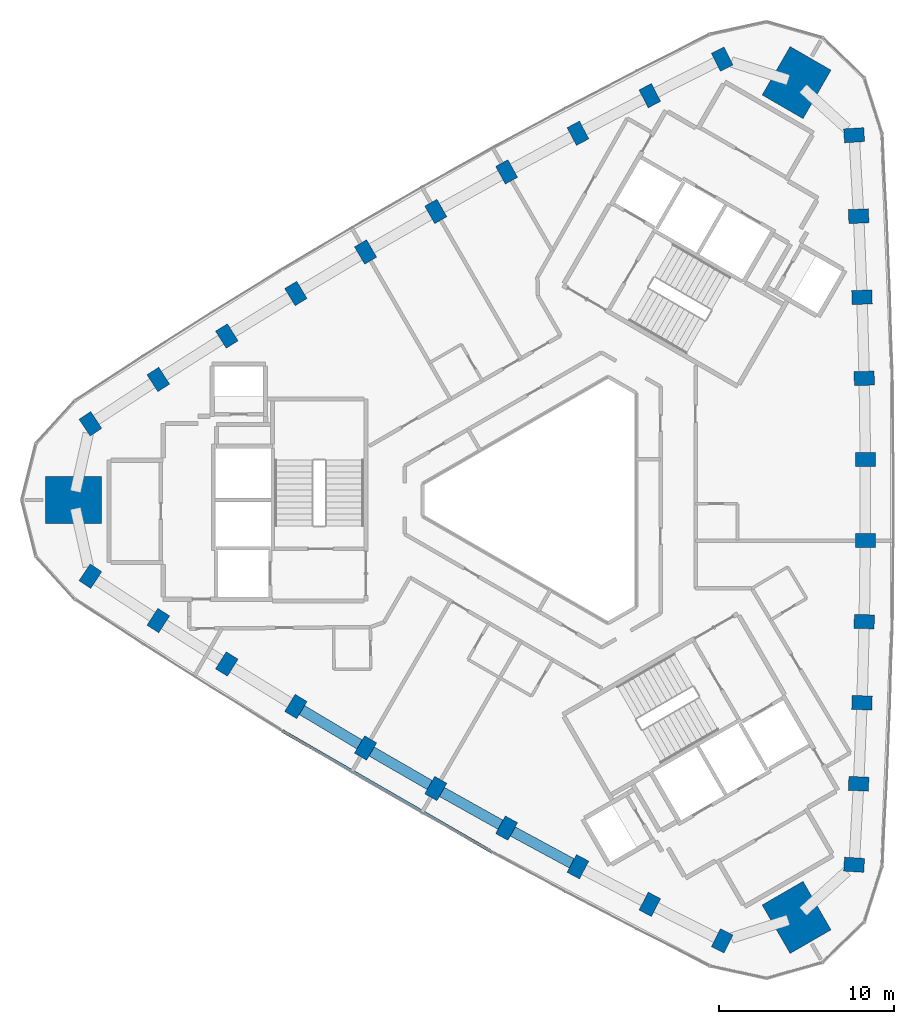
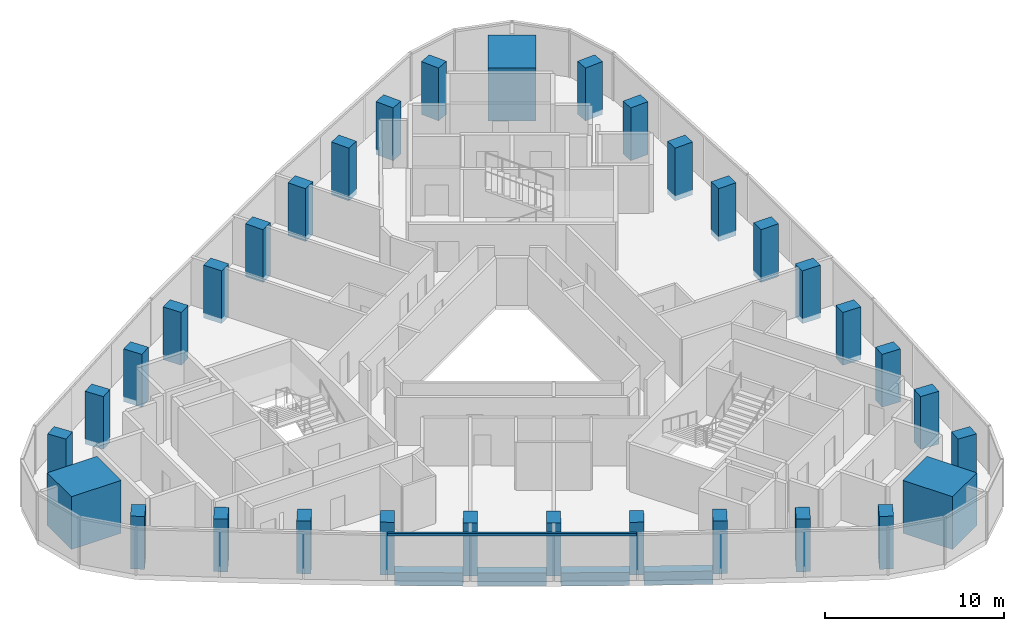
# One storey, part 1 of 12: 33 columns, 4 beams, 1 member, 1 element without a shape of its own.
"""IFC4 building model written with IfcOpenShell, lengths in metres."""

from ifc_helpers import new_model, si_unit, direction, frame, origin, origin_2d, place, context, subcontext, project, spatial, rectangle, extrude, material, material_profile, profile_set, type_object, element, aggregate, save


model = new_model("IFC4")

# Units and contexts
model_context = context("Model", 3, precision=1e-05, world=origin(), true_north=direction((0.0, 1.0)))
body_context = subcontext(model_context, "Body", "Model", "MODEL_VIEW")
ifc_project = project(units=[si_unit("LENGTHUNIT", "METRE"), si_unit("AREAUNIT", "SQUARE_METRE"), si_unit("VOLUMEUNIT", "CUBIC_METRE"), si_unit("PLANEANGLEUNIT", "RADIAN"), si_unit("MASSUNIT", "GRAM", prefix="KILO")], contexts=[model_context])

# Site, building, storey
site_placement = place(None, origin())
site = spatial("IfcSite", under=ifc_project, at=site_placement, CompositionType="ELEMENT")
building_placement = place(site_placement, origin())
building = spatial("IfcBuilding", under=site, at=building_placement, Name="Tamra Quay Hotel Tower", CompositionType="ELEMENT")
storey_placement = place(building_placement, frame((0.0, 0.0, 179.199951171875)))
storey = spatial("IfcBuildingStorey", under=building, at=storey_placement, Name="L44", CompositionType="ELEMENT", Elevation=179.199951171875)

# Columns
ifc_material_1 = material(Name="Concrete M70", Category="concrete")
ifc_material_profile_1 = material_profile(ifc_material_1, rectangle(XDim=1.14990234375, YDim=0.800048828125, at=origin_2d()), Name="COLUMN RC 800x1150 Z4")
ifc_profile_set_1 = profile_set([ifc_material_profile_1], Name="Concrete M70")
column_type_1 = type_object("IfcColumnType", Name="COLUMN RC 800x1150 Z4", PredefinedType="COLUMN", material=ifc_profile_set_1)
for number, where, z_axis, x_axis, name in (
    (1, (17.069580078125, -20.856201171875, -0.349853515625), (0.0, 0.0, 1.0), (-0.998081035395, 0.061921295089, 0.0), "COL-C4E01-L44"),
    (2, (17.326416015625, -16.2255859375, -0.349853515625), (0.0, 0.0, 1.0), (-0.998830734492, 0.048344222345, 0.0), "COL-C4E02-L44"),
    (3, (17.519287109375, -11.592041015625, -0.349853515625), (0.0, 0.0, 1.0), (-0.999411600314, 0.034299462929, 0.0), "COL-C4E03-L44"),
    (4, (17.648193359375, -6.955810546875, -0.349853515625), (0.0, 0.0, 1.0), (-0.99977704996, 0.021115169271, 0.0), "COL-C4E04-L44"),
    (5, (17.71240234375, -2.318603515625, -0.349853515625), (0.0, 0.0, 1.0), (-0.999975214668, 0.007040600034, 0.0), "COL-C4E05-L44"),
    (6, (17.71240234375, 2.318603515625, -0.349853515625), (0.0, 0.0, 1.0), (0.999975214668, 0.007040600034, 0.0), "COL-C4E06-L44"),
    (7, (17.648193359375, 6.955810546875, -0.349853515625), (0.0, 0.0, 1.0), (0.99977704996, 0.021115169271, 0.0), "COL-C4E07-L44"),
    (8, (17.519287109375, 11.592041015625, -0.349853515625), (0.0, 0.0, 1.0), (0.999411600314, 0.034299462929, 0.0), "COL-C4E08-L44"),
    (9, (17.326416015625, 16.2255859375, -0.349853515625), (0.0, 0.0, 1.0), (0.998830734492, 0.048344222345, 0.0), "COL-C4E09-L44"),
    (10, (17.069580078125, 20.856201171875, -0.349853515625), (0.0, 0.0, 1.0), (0.998081035395, 0.061921295089, 0.0), "COL-C4E10-L44"),
    (11, (9.527099609375, 25.210693359375, -0.349853515625), (0.0, 0.0, 1.0), (-0.445415103115, 0.895324179232, 0.0), "COL-C4NW01-L44"),
    (12, (5.388427734375, 23.117919921875, -0.349853515625), (0.0, 0.0, 1.0), (-0.457548042569, 0.889184901323, 0.0), "COL-C4NW02-L44"),
    (13, (1.279296875, 20.96826171875, -0.349853515625), (0.0, 0.0, 1.0), (-0.470001593924, 0.882665566174, 0.0), "COL-C4NW03-L44"),
    (14, (-2.80029296875, 18.76171875, -0.349853515625), (0.0, 0.0, 1.0), (-0.481602251986, 0.876389908021, 0.0), "COL-C4NW04-L44"),
    (15, (-6.84814453125, 16.498779296875, -0.349853515625), (0.0, 0.0, 1.0), (-0.493890268847, 0.869524239075, 0.0), "COL-C4NW05-L44"),
    (16, (-10.8642578125, 14.18017578125, -0.349853515625), (0.0, 0.0, 1.0), (-0.506084945822, 0.862483639041, 0.0), "COL-C4NW06-L44"),
    (17, (-14.847900390625, 11.805908203125, -0.349853515625), (0.0, 0.0, 1.0), (-0.518174797974, 0.855274738751, 0.0), "COL-C4NW07-L44"),
    (18, (-18.798583984375, 9.376220703125, -0.349853515625), (0.0, 0.0, 1.0), (-0.52941000639, 0.848366103245, 0.0), "COL-C4NW08-L44"),
    (19, (-22.71484375, 6.892333984375, -0.349853515625), (0.0, 0.0, 1.0), (-0.541282691923, 0.840840678978, 0.0), "COL-C4NW09-L44"),
    (20, (-26.5966796875, 4.3544921875, -0.349853515625), (0.0, 0.0, 1.0), (-0.55266593228, 0.833402884143, 0.0), "COL-C4NW10-L44"),
    (21, (-26.5966796875, -4.3544921875, -0.349853515625), (0.0, 0.0, 1.0), (0.55266593228, 0.833402884143, 0.0), "COL-C4SW01-L44"),
    (22, (-22.71484375, -6.892333984375, -0.349853515625), (0.0, 0.0, 1.0), (0.541282691923, 0.840840678978, 0.0), "COL-C4SW02-L44"),
    (23, (-18.798583984375, -9.376220703125, -0.349853515625), (0.0, 0.0, 1.0), (0.52941000639, 0.848366103245, 0.0), "COL-C4SW03-L44"),
    (24, (-14.847900390625, -11.805908203125, -0.349853515625), (0.0, 0.0, 1.0), (0.518174797974, 0.855274738751, 0.0), "COL-C4SW04-L44"),
    (25, (-10.8642578125, -14.18017578125, -0.349853515625), (0.0, 0.0, 1.0), (0.506084945822, 0.862483639041, 0.0), "COL-C4SW05-L44"),
    (26, (-6.84814453125, -16.498779296875, -0.349853515625), (0.0, 0.0, 1.0), (0.493890268847, 0.869524239075, 0.0), "COL-C4SW06-L44"),
    (27, (-2.80029296875, -18.76171875, -0.349853515625), (0.0, 0.0, 1.0), (0.481602251986, 0.876389908021, 0.0), "COL-C4SW07-L44"),
    (28, (1.279296875, -20.96826171875, -0.349853515625), (0.0, 0.0, 1.0), (0.470001593924, 0.882665566174, 0.0), "COL-C4SW08-L44"),
    (29, (5.388427734375, -23.117919921875, -0.349853515625), (0.0, 0.0, 1.0), (0.457548042569, 0.889184901323, 0.0), "COL-C4SW09-L44"),
    (30, (9.527099609375, -25.210693359375, -0.349853515625), (0.0, 0.0, 1.0), (0.445415103115, 0.895324179232, 0.0), "COL-C4SW10-L44"),
):
    element("IfcColumn", number, at=place(storey_placement, frame(where, z_axis=z_axis, x_axis=x_axis)), inside=storey, type_object=column_type_1, Name=name, PredefinedType="COLUMN", context=body_context, shape_type="SweptSolid", body=[
        extrude(rectangle(XDim=1.14990234375, YDim=0.800048828125, at=origin_2d()), origin(), (0.0, 0.0, 1.0), 3.599853515625),
    ])
ifc_material_profile_2 = material_profile(ifc_material_1, rectangle(XDim=3.199951171875, YDim=2.699951171875, at=origin_2d()), Name="MEGA COLUMN RC 2700x3200 Z4")
ifc_profile_set_2 = profile_set([ifc_material_profile_2], Name="Concrete M70")
column_type_2 = type_object("IfcColumnType", Name="MEGA COLUMN RC 2700x3200 Z4", PredefinedType="COLUMN", material=ifc_profile_set_2)
for number, where, z_axis, x_axis, name in (
    (31, (13.779541015625, 23.86669921875, -0.349853515625), (0.0, 0.0, 1.0), (0.5, 0.866025403784, 0.0), "COL-M4NE-L44"),
    (32, (-27.55908203125, 0.0, -0.349853515625), (0.0, 0.0, 1.0), (1.0, 0.0, 0.0), "COL-M4W-L44"),
    (33, (13.779541015625, -23.86669921875, -0.349853515625), (0.0, 0.0, 1.0), (-0.5, 0.866025403784, 0.0), "COL-M4SE-L44"),
):
    element("IfcColumn", number, at=place(storey_placement, frame(where, z_axis=z_axis, x_axis=x_axis)), inside=storey, type_object=column_type_2, Name=name, PredefinedType="COLUMN", context=body_context, shape_type="SweptSolid", body=[
        extrude(rectangle(XDim=3.199951171875, YDim=2.699951171875, at=origin_2d()), origin(), (0.0, 0.0, 1.0), 3.599853515625),
    ])

# Beams
ifc_material_2 = material(Name="Concrete M60", Category="concrete")
ifc_material_profile_3 = material_profile(ifc_material_2, rectangle(XDim=0.60009765625, YDim=0.89990234375, at=origin_2d()), Name="SPANDREL BEAM RC 600x900")
ifc_profile_set_3 = profile_set([ifc_material_profile_3], Name="Concrete M60")
beam_type = type_object("IfcBeamType", Name="SPANDREL BEAM RC 600x900", PredefinedType="SPANDREL", material=ifc_profile_set_3)
beam_1_placement = place(storey_placement, frame((-14.50439453125, -12.010498046875, -0.800048828125), z_axis=(0.858982487636, -0.512004966708, 0.0), x_axis=(0.512004966708, 0.858982487636, 0.0)))
element("IfcBeam", 34, at=beam_1_placement, inside=storey, type_object=beam_type, Name="BM-SP4-025-L44", PredefinedType="SPANDREL", context=body_context, shape_type="SweptSolid", body=[
    extrude(rectangle(XDim=0.60009765625, YDim=0.89990234375, at=origin_2d()), origin(), (0.0, 0.0, 1.0), 3.837646484375),
])
for number, where, z_axis, x_axis, name in (
    (35, (-10.517822265625, -14.380126953125, -0.800048828125), (0.866022424722, -0.500005159851, 0.0), (0.500005159851, 0.866022424722, 0.0), "BM-SP4-026-L44"),
    (36, (-6.4990234375, -16.694091796875, -0.800048828125), (0.872890885292, -0.487915466422, 0.0), (0.487915466422, 0.872890885292, 0.0), "BM-SP4-027-L44"),
):
    element("IfcBeam", number, at=place(storey_placement, frame(where, z_axis=z_axis, x_axis=x_axis)), inside=storey, type_object=beam_type, Name=name, PredefinedType="SPANDREL", context=body_context, shape_type="SweptSolid", body=[
        extrude(rectangle(XDim=0.60009765625, YDim=0.89990234375, at=origin_2d()), origin(), (0.0, 0.0, 1.0), 3.83740234375),
    ])
beam_2_placement = place(storey_placement, frame((-2.448486328125, -18.951904296875, -0.800048828125), z_axis=(0.879589264525, -0.475733881211, 0.0), x_axis=(0.475733881211, 0.879589264525, 0.0)))
element("IfcBeam", 37, at=beam_2_placement, inside=storey, type_object=beam_type, Name="BM-SP4-028-L44", PredefinedType="SPANDREL", context=body_context, shape_type="SweptSolid", body=[
    extrude(rectangle(XDim=0.60009765625, YDim=0.89990234375, at=origin_2d()), origin(), (0.0, 0.0, 1.0), 3.838134765625),
])

# Curtain wall, member
ifc_material_3 = material(Name="Aluminium 6063 anodised dark grey", Category="aluminium")
curtain_wall_type = type_object("IfcCurtainWallType", Name="CW3 CURTAIN WALL", PredefinedType="NOTDEFINED", material=ifc_material_3)
curtain_wall_placement = place(storey_placement, origin())
curtain_wall = element("IfcCurtainWall", 38, at=curtain_wall_placement, inside=storey, type_object=curtain_wall_type, Name="CW3 south-west face L44", PredefinedType="NOTDEFINED")
ifc_material_profile_4 = material_profile(ifc_material_3, rectangle(XDim=0.179931640625, YDim=0.139892578125, at=origin_2d()), Name="TRANSOM 180X140")
ifc_profile_set_4 = profile_set([ifc_material_profile_4], Name="Aluminium 6063 anodised dark grey")
member_type = type_object("IfcMemberType", Name="TRANSOM CW3 Z4", PredefinedType="USERDEFINED", material=ifc_profile_set_4)
member_placement = place(storey_placement, frame((-15.633544921875, -13.198974609375, 3.179931640625), z_axis=(0.866018612845, -0.500011762068, 0.0), x_axis=(0.500011762068, 0.866018612845, 0.0)))
member = element("IfcMember", 39, at=member_placement, type_object=member_type, Name="CW3 transom L44.SW.4", ObjectType="TRANSOM", PredefinedType="USERDEFINED", context=body_context, shape_type="SweptSolid", body=[
    extrude(rectangle(XDim=0.179931640625, YDim=0.139892578125, at=origin_2d()), origin(), (0.0, 0.0, 1.0), 13.879150390625),
])
aggregate(curtain_wall, [member])

save(model, "model.ifc")
